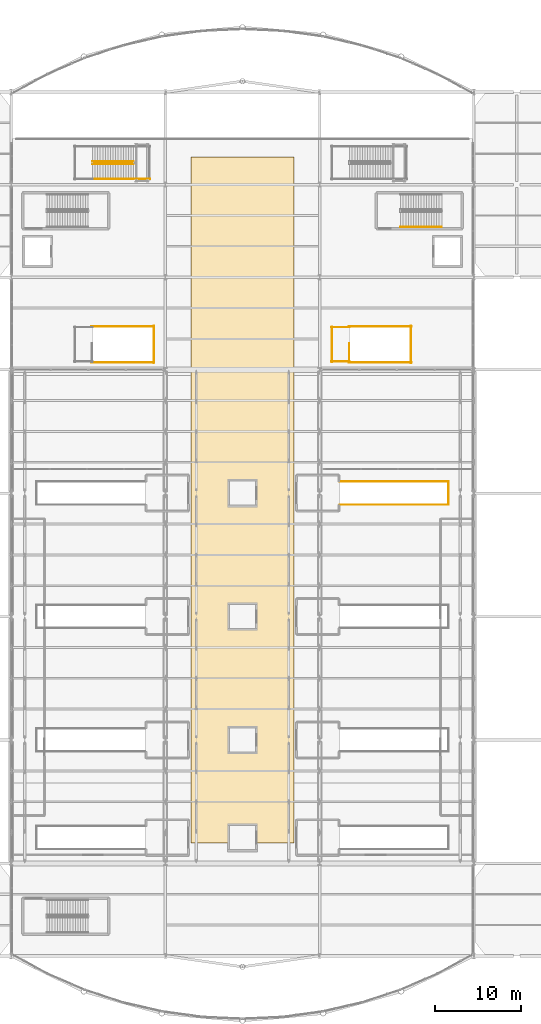
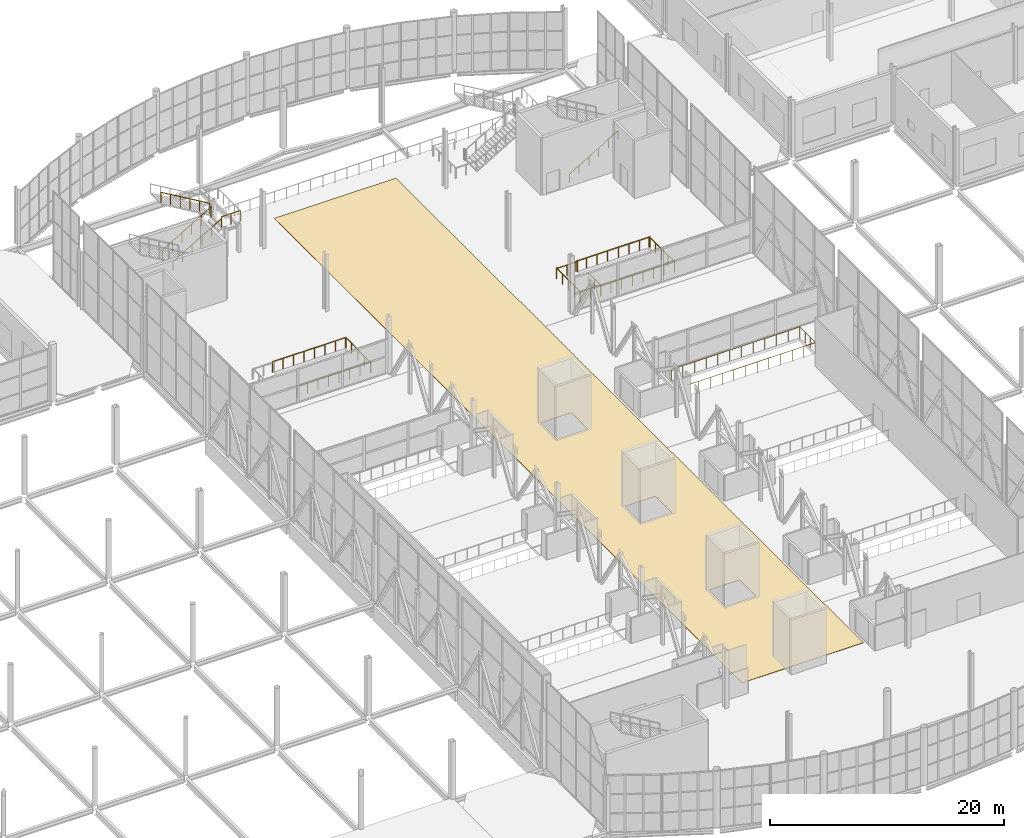
# One storey, part 184 of 191: 16 railings, 1 covering.
"""IFC4 building model written with IfcOpenShell, lengths in metres."""

from ifc_helpers import new_model, si_unit, direction, frame, origin, origin_2d, place, context, subcontext, project, spatial, polyline, circle, outline, extrude, material, layer, layer_set, type_object, element, save


model = new_model("IFC4")

# Units and contexts
model_context = context("Model", 3, precision=1e-05, world=origin(), true_north=direction((0.0, 1.0)))
body_context = subcontext(model_context, "Body", "Model", "MODEL_VIEW")
ifc_project = project(units=[si_unit("LENGTHUNIT", "METRE"), si_unit("AREAUNIT", "SQUARE_METRE"), si_unit("VOLUMEUNIT", "CUBIC_METRE"), si_unit("PLANEANGLEUNIT", "RADIAN"), si_unit("MASSUNIT", "GRAM", prefix="KILO")], contexts=[model_context])

# Site, building, storey
site_placement = place(None, origin())
site = spatial("IfcSite", under=ifc_project, at=site_placement, CompositionType="ELEMENT")
building_placement = place(site_placement, origin())
building = spatial("IfcBuilding", under=site, at=building_placement, Name="Tamarisk Ironworks Central Station", CompositionType="ELEMENT")
storey_placement = place(building_placement, frame((0.0, 0.0, 6.60009765625)))
storey = spatial("IfcBuildingStorey", under=building, at=storey_placement, Name="L01", CompositionType="ELEMENT", Elevation=6.60009765625)

# Covering
ifc_material_1 = material(Name="Granite tactile platform paving", Category="masonry")
ifc_layer = layer(ifc_material_1, 0.02490234375)
ifc_layer_set = layer_set([ifc_layer], Name="Granite tactile platform paving")
covering_type = type_object("IfcCoveringType", Name="COV-FLOOR-GR", PredefinedType="FLOORING", material=ifc_layer_set)
covering_placement = place(storey_placement, origin())
element("IfcCovering", 1, at=covering_placement, inside=storey, type_object=covering_type, Name="L01 granite/terrazzo floor finish 004", PredefinedType="FLOORING", context=body_context, shape_type="SweptSolid", body=[
    extrude(outline(polyline([(75.0, 24.0), (87.0, 24.0), (87.0, 104.0), (75.0, 104.0), (75.0, 24.0)]), holes=[polyline([(79.5, 34.60009765625), (82.5, 34.60009765625), (82.5, 37.39990234375), (79.5, 37.39990234375), (79.5, 34.60009765625)]), polyline([(79.5, 49.0), (82.5, 49.0), (82.5, 51.800048828125), (79.5, 51.800048828125), (79.5, 49.0)]), polyline([(79.5, 63.39990234375), (82.5, 63.39990234375), (82.5, 66.199951171875), (79.5, 66.199951171875), (79.5, 63.39990234375)])]), origin(), (0.0, 0.0, 1.0), 0.02490234375),
])

# Railings
ifc_material_2 = material(Name="Laminated solar-control low-E glass", Category="glass")
railing_type_1 = type_object("IfcRailingType", Name="RL-GUARD-GLASS", PredefinedType="BALUSTRADE", material=ifc_material_2)
for number, where, name in (
    (2, (63.39990234375, 80.050048828125, 0.0), "L01 ST-TH1 top well guard 2"),
    (3, (63.39990234375, 84.25, 0.0), "L01 ST-TH1 top well guard 3"),
):
    element("IfcRailing", number, at=place(storey_placement, frame(where)), inside=storey, type_object=railing_type_1, Name=name, PredefinedType="BALUSTRADE", context=body_context, shape_type="SweptSolid", body=[
        extrude(circle(Radius=0.02392578125, at=origin_2d()), frame((0.0, 0.0, 1.076171875), z_axis=(1.0, 0.0, 0.0), x_axis=(0.0, 1.0, 0.0)), (0.0, 0.0, 1.0), 7.300048828125),
        extrude(circle(Radius=0.02099609375, at=origin_2d()), origin(), (0.0, 0.0, 1.0), 1.052001953125),
        extrude(circle(Radius=0.02099609375, at=origin_2d()), frame((1.04296875, 0.0, 0.0)), (0.0, 0.0, 1.0), 1.052001953125),
        extrude(circle(Radius=0.02099609375, at=origin_2d()), frame((2.085693359375, 0.0, 0.0)), (0.0, 0.0, 1.0), 1.052001953125),
        extrude(circle(Radius=0.02099609375, at=origin_2d()), frame((3.128662109375, 0.0, 0.0)), (0.0, 0.0, 1.0), 1.052001953125),
        extrude(circle(Radius=0.02099609375, at=origin_2d()), frame((4.17138671875, 0.0, 0.0)), (0.0, 0.0, 1.0), 1.052001953125),
        extrude(circle(Radius=0.02099609375, at=origin_2d()), frame((5.21435546875, 0.0, 0.0)), (0.0, 0.0, 1.0), 1.052001953125),
        extrude(circle(Radius=0.02099609375, at=origin_2d()), frame((6.257080078125, 0.0, 0.0)), (0.0, 0.0, 1.0), 1.052001953125),
        extrude(circle(Radius=0.02099609375, at=origin_2d()), frame((7.300048828125, 0.0, 0.0)), (0.0, 0.0, 1.0), 1.052001953125),
    ])
railing_1_placement = place(storey_placement, frame((70.64990234375, 80.0, 0.0)))
element("IfcRailing", 4, at=railing_1_placement, inside=storey, type_object=railing_type_1, Name="L01 ST-TH1 top well guard 4", PredefinedType="BALUSTRADE", context=body_context, shape_type="SweptSolid", body=[
    extrude(circle(Radius=0.02392578125, at=origin_2d()), frame((0.0, 0.0, 1.076171875), z_axis=(0.0, 1.0, 0.0), x_axis=(-1.0, 0.0, 0.0)), (0.0, 0.0, 1.0), 4.300048828125),
    extrude(circle(Radius=0.02099609375, at=origin_2d()), origin(), (0.0, 0.0, 1.0), 1.052001953125),
    extrude(circle(Radius=0.02099609375, at=origin_2d()), frame((0.0, 1.074951171875, 0.0)), (0.0, 0.0, 1.0), 1.052001953125),
    extrude(circle(Radius=0.02099609375, at=origin_2d()), frame((0.0, 2.14990234375, 0.0)), (0.0, 0.0, 1.0), 1.052001953125),
    extrude(circle(Radius=0.02099609375, at=origin_2d()), frame((0.0, 3.22509765625, 0.0)), (0.0, 0.0, 1.0), 1.052001953125),
    extrude(circle(Radius=0.02099609375, at=origin_2d()), frame((0.0, 4.300048828125, 0.0)), (0.0, 0.0, 1.0), 1.052001953125),
])
railing_2_placement = place(storey_placement, frame((93.449951171875, 80.10009765625, 0.0)))
element("IfcRailing", 5, at=railing_2_placement, inside=storey, type_object=railing_type_1, Name="L01 ST-TH2 top well guard 1", PredefinedType="BALUSTRADE", context=body_context, shape_type="SweptSolid", body=[
    extrude(circle(Radius=0.02392578125, at=origin_2d()), frame((0.0, 0.0, 1.076171875), z_axis=(0.0, 1.0, 0.0), x_axis=(-1.0, 0.0, 0.0)), (0.0, 0.0, 1.0), 2.14990234375),
    extrude(circle(Radius=0.02099609375, at=origin_2d()), origin(), (0.0, 0.0, 1.0), 1.052001953125),
    extrude(circle(Radius=0.02099609375, at=origin_2d()), frame((0.0, 1.074951171875, 0.0)), (0.0, 0.0, 1.0), 1.052001953125),
    extrude(circle(Radius=0.02099609375, at=origin_2d()), frame((0.0, 2.14990234375, 0.0)), (0.0, 0.0, 1.0), 1.052001953125),
])
for number, where, name in (
    (6, (93.39990234375, 80.050048828125, 0.0), "L01 ST-TH2 top well guard 2"),
    (7, (93.39990234375, 84.25, 0.0), "L01 ST-TH2 top well guard 3"),
):
    element("IfcRailing", number, at=place(storey_placement, frame(where)), inside=storey, type_object=railing_type_1, Name=name, PredefinedType="BALUSTRADE", context=body_context, shape_type="SweptSolid", body=[
        extrude(circle(Radius=0.02392578125, at=origin_2d()), frame((0.0, 0.0, 1.076171875), z_axis=(1.0, 0.0, 0.0), x_axis=(0.0, 1.0, 0.0)), (0.0, 0.0, 1.0), 7.300048828125),
        extrude(circle(Radius=0.02099609375, at=origin_2d()), origin(), (0.0, 0.0, 1.0), 1.052001953125),
        extrude(circle(Radius=0.02099609375, at=origin_2d()), frame((1.04296875, 0.0, 0.0)), (0.0, 0.0, 1.0), 1.052001953125),
        extrude(circle(Radius=0.02099609375, at=origin_2d()), frame((2.085693359375, 0.0, 0.0)), (0.0, 0.0, 1.0), 1.052001953125),
        extrude(circle(Radius=0.02099609375, at=origin_2d()), frame((3.128662109375, 0.0, 0.0)), (0.0, 0.0, 1.0), 1.052001953125),
        extrude(circle(Radius=0.02099609375, at=origin_2d()), frame((4.17138671875, 0.0, 0.0)), (0.0, 0.0, 1.0), 1.052001953125),
        extrude(circle(Radius=0.02099609375, at=origin_2d()), frame((5.21435546875, 0.0, 0.0)), (0.0, 0.0, 1.0), 1.052001953125),
        extrude(circle(Radius=0.02099609375, at=origin_2d()), frame((6.257080078125, 0.0, 0.0)), (0.0, 0.0, 1.0), 1.052001953125),
        extrude(circle(Radius=0.02099609375, at=origin_2d()), frame((7.300048828125, 0.0, 0.0)), (0.0, 0.0, 1.0), 1.052001953125),
    ])
railing_3_placement = place(storey_placement, frame((100.64990234375, 80.0, 0.0)))
element("IfcRailing", 8, at=railing_3_placement, inside=storey, type_object=railing_type_1, Name="L01 ST-TH2 top well guard 4", PredefinedType="BALUSTRADE", context=body_context, shape_type="SweptSolid", body=[
    extrude(circle(Radius=0.02392578125, at=origin_2d()), frame((0.0, 0.0, 1.076171875), z_axis=(0.0, 1.0, 0.0), x_axis=(-1.0, 0.0, 0.0)), (0.0, 0.0, 1.0), 4.300048828125),
    extrude(circle(Radius=0.02099609375, at=origin_2d()), origin(), (0.0, 0.0, 1.0), 1.052001953125),
    extrude(circle(Radius=0.02099609375, at=origin_2d()), frame((0.0, 1.074951171875, 0.0)), (0.0, 0.0, 1.0), 1.052001953125),
    extrude(circle(Radius=0.02099609375, at=origin_2d()), frame((0.0, 2.14990234375, 0.0)), (0.0, 0.0, 1.0), 1.052001953125),
    extrude(circle(Radius=0.02099609375, at=origin_2d()), frame((0.0, 3.22509765625, 0.0)), (0.0, 0.0, 1.0), 1.052001953125),
    extrude(circle(Radius=0.02099609375, at=origin_2d()), frame((0.0, 4.300048828125, 0.0)), (0.0, 0.0, 1.0), 1.052001953125),
])
for number, where, name in (
    (9, (91.39990234375, 80.14990234375, 0.0), "L01 ST-TH2 top well guard 5"),
    (10, (91.39990234375, 84.14990234375, 0.0), "L01 ST-TH2 top well guard 6"),
):
    element("IfcRailing", number, at=place(storey_placement, frame(where)), inside=storey, type_object=railing_type_1, Name=name, PredefinedType="BALUSTRADE", context=body_context, shape_type="SweptSolid", body=[
        extrude(circle(Radius=0.02392578125, at=origin_2d()), frame((0.0, 0.0, 1.076171875), z_axis=(1.0, 0.0, 0.0), x_axis=(0.0, 1.0, 0.0)), (0.0, 0.0, 1.0), 2.10009765625),
        extrude(circle(Radius=0.02099609375, at=origin_2d()), origin(), (0.0, 0.0, 1.0), 1.052001953125),
        extrude(circle(Radius=0.02099609375, at=origin_2d()), frame((1.050048828125, 0.0, 0.0)), (0.0, 0.0, 1.0), 1.052001953125),
        extrude(circle(Radius=0.02099609375, at=origin_2d()), frame((2.10009765625, 0.0, 0.0)), (0.0, 0.0, 1.0), 1.052001953125),
    ])
railing_4_placement = place(storey_placement, frame((91.449951171875, 80.10009765625, 0.0)))
element("IfcRailing", 11, at=railing_4_placement, inside=storey, type_object=railing_type_1, Name="L01 ST-TH2 top well guard 7", PredefinedType="BALUSTRADE", context=body_context, shape_type="SweptSolid", body=[
    extrude(circle(Radius=0.02392578125, at=origin_2d()), frame((0.0, 0.0, 1.076171875), z_axis=(0.0, 1.0, 0.0), x_axis=(-1.0, 0.0, 0.0)), (0.0, 0.0, 1.0), 4.099853515625),
    extrude(circle(Radius=0.02099609375, at=origin_2d()), origin(), (0.0, 0.0, 1.0), 1.052001953125),
    extrude(circle(Radius=0.02099609375, at=origin_2d()), frame((0.0, 1.02490234375, 0.0)), (0.0, 0.0, 1.0), 1.052001953125),
    extrude(circle(Radius=0.02099609375, at=origin_2d()), frame((0.0, 2.0498046875, 0.0)), (0.0, 0.0, 1.0), 1.052001953125),
    extrude(circle(Radius=0.02099609375, at=origin_2d()), frame((0.0, 3.074951171875, 0.0)), (0.0, 0.0, 1.0), 1.052001953125),
    extrude(circle(Radius=0.02099609375, at=origin_2d()), frame((0.0, 4.099853515625, 0.0)), (0.0, 0.0, 1.0), 1.052001953125),
])
railing_5_placement = place(storey_placement, frame((63.5, 103.199951171875, 0.17626953125)))
element("IfcRailing", 12, at=railing_5_placement, inside=storey, type_object=railing_type_1, Name="L01 ST-MZ1 stair guard 1", PredefinedType="BALUSTRADE", context=body_context, shape_type="SweptSolid", body=[
    extrude(circle(Radius=0.02392578125, at=origin_2d()), frame((0.0, 0.0, 1.076171875), z_axis=(0.861920691219, 0.0, 0.507043116558), x_axis=(0.0, 1.0, 0.0)), (0.0, 0.0, 1.0), 5.569091796875),
    extrude(circle(Radius=0.02099609375, at=origin_2d()), origin(), (0.0, 0.0, 1.0), 1.052001953125),
    extrude(circle(Radius=0.02099609375, at=origin_2d()), frame((0.9599609375, 0.0, 0.564697265625)), (0.0, 0.0, 1.0), 1.052001953125),
    extrude(circle(Radius=0.02099609375, at=origin_2d()), frame((1.919921875, 0.0, 1.12939453125)), (0.0, 0.0, 1.0), 1.052001953125),
    extrude(circle(Radius=0.02099609375, at=origin_2d()), frame((2.880126953125, 0.0, 1.6943359375)), (0.0, 0.0, 1.0), 1.052001953125),
    extrude(circle(Radius=0.02099609375, at=origin_2d()), frame((3.840087890625, 0.0, 2.259033203125)), (0.0, 0.0, 1.0), 1.052001953125),
    extrude(circle(Radius=0.02099609375, at=origin_2d()), frame((4.800048828125, 0.0, 2.82373046875)), (0.0, 0.0, 1.0), 1.052001953125),
])
railing_6_placement = place(storey_placement, frame((68.300048828125, 101.449951171875, 3.0)))
element("IfcRailing", 13, at=railing_6_placement, inside=storey, type_object=railing_type_1, Name="L01 ST-MZ1 stair guard 3", PredefinedType="BALUSTRADE", context=body_context, shape_type="SweptSolid", body=[
    extrude(circle(Radius=0.02392578125, at=origin_2d()), frame((0.0, 0.0, 1.076171875), z_axis=(1.0, 0.0, 0.0), x_axis=(0.0, 1.0, 0.0)), (0.0, 0.0, 1.0), 1.89990234375),
    extrude(circle(Radius=0.02099609375, at=origin_2d()), origin(), (0.0, 0.0, 1.0), 1.052001953125),
    extrude(circle(Radius=0.02099609375, at=origin_2d()), frame((0.949951171875, 0.0, 0.0)), (0.0, 0.0, 1.0), 1.052001953125),
    extrude(circle(Radius=0.02099609375, at=origin_2d()), frame((1.89990234375, 0.0, 0.0)), (0.0, 0.0, 1.0), 1.052001953125),
])
railing_7_placement = place(storey_placement, frame((68.300048828125, 103.5, 3.17626953125)))
element("IfcRailing", 14, at=railing_7_placement, inside=storey, type_object=railing_type_1, Name="L01 ST-MZ1 stair guard 6", PredefinedType="BALUSTRADE", context=body_context, shape_type="SweptSolid", body=[
    extrude(circle(Radius=0.02392578125, at=origin_2d()), frame((0.0, 0.0, 1.076171875), z_axis=(-0.861920691219, 0.0, 0.507043116558), x_axis=(0.0, -1.0, 0.0)), (0.0, 0.0, 1.0), 5.569091796875),
    extrude(circle(Radius=0.02099609375, at=origin_2d()), origin(), (0.0, 0.0, 1.0), 1.052001953125),
    extrude(circle(Radius=0.02099609375, at=origin_2d()), frame((-0.9599609375, 0.0, 0.564697265625)), (0.0, 0.0, 1.0), 1.052001953125),
    extrude(circle(Radius=0.02099609375, at=origin_2d()), frame((-1.919921875, 0.0, 1.12939453125)), (0.0, 0.0, 1.0), 1.052001953125),
    extrude(circle(Radius=0.02099609375, at=origin_2d()), frame((-2.880126953125, 0.0, 1.6943359375)), (0.0, 0.0, 1.0), 1.052001953125),
    extrude(circle(Radius=0.02099609375, at=origin_2d()), frame((-3.840087890625, 0.0, 2.259033203125)), (0.0, 0.0, 1.0), 1.052001953125),
    extrude(circle(Radius=0.02099609375, at=origin_2d()), frame((-4.800048828125, 0.0, 2.82373046875)), (0.0, 0.0, 1.0), 1.052001953125),
])
railing_8_placement = place(storey_placement, frame((92.35009765625, 63.449951171875, 0.0)))
element("IfcRailing", 15, at=railing_8_placement, inside=storey, type_object=railing_type_1, Name="L01 platform stair well guard ST-P4B", PredefinedType="BALUSTRADE", context=body_context, shape_type="SweptSolid", body=[
    extrude(circle(Radius=0.02392578125, at=origin_2d()), frame((0.0, 0.0, 1.1259765625), z_axis=(1.0, 0.0, 0.0), x_axis=(0.0, 1.0, 0.0)), (0.0, 0.0, 1.0), 12.699951171875),
    extrude(circle(Radius=0.02392578125, at=origin_2d()), frame((12.699951171875, 0.0, 1.1259765625), z_axis=(0.0, 1.0, 0.0), x_axis=(-1.0, 0.0, 0.0)), (0.0, 0.0, 1.0), 2.699951171875),
    extrude(circle(Radius=0.02392578125, at=origin_2d()), frame((12.699951171875, 2.699951171875, 1.1259765625), z_axis=(-1.0, 0.0, 0.0), x_axis=(0.0, -1.0, 0.0)), (0.0, 0.0, 1.0), 12.699951171875),
    extrude(circle(Radius=0.02099609375, at=origin_2d()), origin(), (0.0, 0.0, 1.0), 1.101806640625),
    extrude(circle(Radius=0.02099609375, at=origin_2d()), frame((1.154541015625, 0.0, 0.0)), (0.0, 0.0, 1.0), 1.101806640625),
    extrude(circle(Radius=0.02099609375, at=origin_2d()), frame((2.30908203125, 0.0, 0.0)), (0.0, 0.0, 1.0), 1.101806640625),
    extrude(circle(Radius=0.02099609375, at=origin_2d()), frame((3.463623046875, 0.0, 0.0)), (0.0, 0.0, 1.0), 1.101806640625),
    extrude(circle(Radius=0.02099609375, at=origin_2d()), frame((4.6181640625, 0.0, 0.0)), (0.0, 0.0, 1.0), 1.101806640625),
    extrude(circle(Radius=0.02099609375, at=origin_2d()), frame((5.772705078125, 0.0, 0.0)), (0.0, 0.0, 1.0), 1.101806640625),
    extrude(circle(Radius=0.02099609375, at=origin_2d()), frame((6.92724609375, 0.0, 0.0)), (0.0, 0.0, 1.0), 1.101806640625),
    extrude(circle(Radius=0.02099609375, at=origin_2d()), frame((8.081787109375, 0.0, 0.0)), (0.0, 0.0, 1.0), 1.101806640625),
    extrude(circle(Radius=0.02099609375, at=origin_2d()), frame((9.236328125, 0.0, 0.0)), (0.0, 0.0, 1.0), 1.101806640625),
    extrude(circle(Radius=0.02099609375, at=origin_2d()), frame((10.390869140625, 0.0, 0.0)), (0.0, 0.0, 1.0), 1.101806640625),
    extrude(circle(Radius=0.02099609375, at=origin_2d()), frame((11.54541015625, 0.0, 0.0)), (0.0, 0.0, 1.0), 1.101806640625),
    extrude(circle(Radius=0.02099609375, at=origin_2d()), frame((12.699951171875, 0.0, 0.0)), (0.0, 0.0, 1.0), 1.101806640625),
    extrude(circle(Radius=0.02099609375, at=origin_2d()), frame((12.699951171875, 0.89990234375, 0.0)), (0.0, 0.0, 1.0), 1.101806640625),
    extrude(circle(Radius=0.02099609375, at=origin_2d()), frame((12.699951171875, 1.800048828125, 0.0)), (0.0, 0.0, 1.0), 1.101806640625),
    extrude(circle(Radius=0.02099609375, at=origin_2d()), frame((12.699951171875, 2.699951171875, 0.0)), (0.0, 0.0, 1.0), 1.101806640625),
    extrude(circle(Radius=0.02099609375, at=origin_2d()), frame((11.54541015625, 2.699951171875, 0.0)), (0.0, 0.0, 1.0), 1.101806640625),
    extrude(circle(Radius=0.02099609375, at=origin_2d()), frame((10.390869140625, 2.699951171875, 0.0)), (0.0, 0.0, 1.0), 1.101806640625),
    extrude(circle(Radius=0.02099609375, at=origin_2d()), frame((9.236328125, 2.699951171875, 0.0)), (0.0, 0.0, 1.0), 1.101806640625),
    extrude(circle(Radius=0.02099609375, at=origin_2d()), frame((8.081787109375, 2.699951171875, 0.0)), (0.0, 0.0, 1.0), 1.101806640625),
    extrude(circle(Radius=0.02099609375, at=origin_2d()), frame((6.92724609375, 2.699951171875, 0.0)), (0.0, 0.0, 1.0), 1.101806640625),
    extrude(circle(Radius=0.02099609375, at=origin_2d()), frame((5.772705078125, 2.699951171875, 0.0)), (0.0, 0.0, 1.0), 1.101806640625),
    extrude(circle(Radius=0.02099609375, at=origin_2d()), frame((4.6181640625, 2.699951171875, 0.0)), (0.0, 0.0, 1.0), 1.101806640625),
    extrude(circle(Radius=0.02099609375, at=origin_2d()), frame((3.463623046875, 2.699951171875, 0.0)), (0.0, 0.0, 1.0), 1.101806640625),
    extrude(circle(Radius=0.02099609375, at=origin_2d()), frame((2.30908203125, 2.699951171875, 0.0)), (0.0, 0.0, 1.0), 1.101806640625),
    extrude(circle(Radius=0.02099609375, at=origin_2d()), frame((1.154541015625, 2.699951171875, 0.0)), (0.0, 0.0, 1.0), 1.101806640625),
    extrude(circle(Radius=0.02099609375, at=origin_2d()), frame((0.0, 2.699951171875, 0.0)), (0.0, 0.0, 1.0), 1.101806640625),
])
ifc_material_3 = material(Name="Brushed stainless steel AISI 316", Category="steel")
railing_type_2 = type_object("IfcRailingType", Name="RL-HAND", PredefinedType="HANDRAIL", material=ifc_material_3)
for number, where, name in (
    (16, (99.449951171875, 95.85009765625, 0.17626953125), "L01 ST-C4 stair handrail 1"),
    (17, (63.5, 101.449951171875, 0.17626953125), "L01 ST-MZ1 stair handrail 1"),
):
    element("IfcRailing", number, at=place(storey_placement, frame(where)), inside=storey, type_object=railing_type_2, Name=name, PredefinedType="HANDRAIL", context=body_context, shape_type="SweptSolid", body=[
        extrude(circle(Radius=0.02392578125, at=origin_2d()), frame((0.0, 0.0, 0.8759765625), z_axis=(0.861920691219, 0.0, 0.507043116558), x_axis=(0.0, 1.0, 0.0)), (0.0, 0.0, 1.0), 5.569091796875),
        extrude(circle(Radius=0.02099609375, at=origin_2d()), origin(), (0.0, 0.0, 1.0), 0.851806640625),
        extrude(circle(Radius=0.02099609375, at=origin_2d()), frame((0.9599609375, 0.0, 0.564697265625)), (0.0, 0.0, 1.0), 0.851806640625),
        extrude(circle(Radius=0.02099609375, at=origin_2d()), frame((1.919921875, 0.0, 1.12939453125)), (0.0, 0.0, 1.0), 0.851806640625),
        extrude(circle(Radius=0.02099609375, at=origin_2d()), frame((2.880126953125, 0.0, 1.6943359375)), (0.0, 0.0, 1.0), 0.851806640625),
        extrude(circle(Radius=0.02099609375, at=origin_2d()), frame((3.840087890625, 0.0, 2.259033203125)), (0.0, 0.0, 1.0), 0.851806640625),
        extrude(circle(Radius=0.02099609375, at=origin_2d()), frame((4.800048828125, 0.0, 2.82373046875)), (0.0, 0.0, 1.0), 0.851806640625),
    ])

save(model, "model.ifc")
